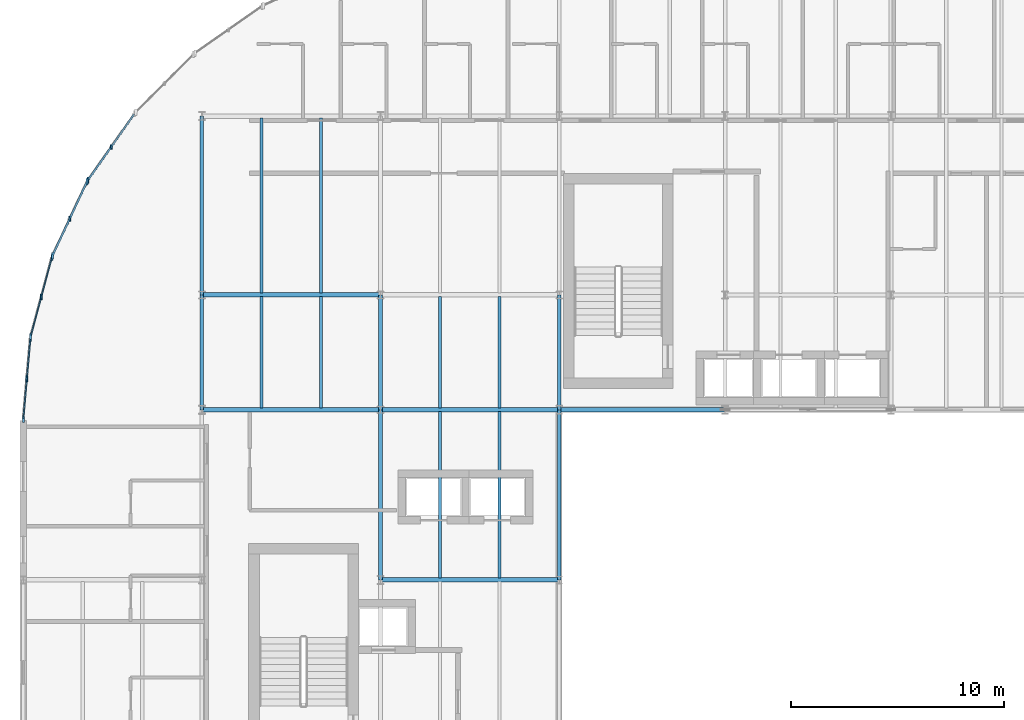
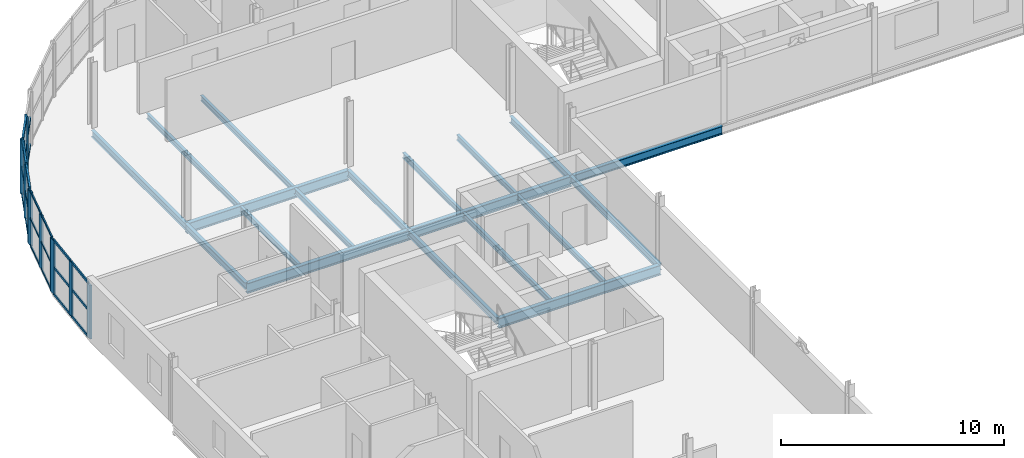
# One storey, part 6 of 25: 34 members, 19 beams, 4 elements without a shape of their own.
"""IFC4 building model written with IfcOpenShell, lengths in metres."""

from ifc_helpers import new_model, si_unit, direction, frame, origin, origin_2d, place, context, subcontext, project, spatial, rectangle, i_section, extrude, material, layer, layer_set, material_profile, profile_set, type_object, element, aggregate, save


model = new_model("IFC4")

# Units and contexts
model_context = context("Model", 3, precision=1e-05, world=origin(), true_north=direction((0.0, 1.0)))
body_context = subcontext(model_context, "Body", "Model", "MODEL_VIEW")
ifc_project = project(units=[si_unit("LENGTHUNIT", "METRE"), si_unit("AREAUNIT", "SQUARE_METRE"), si_unit("VOLUMEUNIT", "CUBIC_METRE"), si_unit("PLANEANGLEUNIT", "RADIAN"), si_unit("MASSUNIT", "GRAM", prefix="KILO")], contexts=[model_context])

# Site, building, storey
site_placement = place(None, origin())
site = spatial("IfcSite", under=ifc_project, at=site_placement, CompositionType="ELEMENT")
building_placement = place(site_placement, origin())
building = spatial("IfcBuilding", under=site, at=building_placement, Name="Sefraquen Railside Congress Hotel", CompositionType="ELEMENT")
storey_placement = place(building_placement, frame((0.0, 0.0, 39.0)))
storey = spatial("IfcBuildingStorey", under=building, at=storey_placement, Name="L09", CompositionType="ELEMENT", Elevation=39.0)

# Beams
ifc_material_1 = material(Name="Steel S355JR", Category="steel")
ifc_material_profile_1 = material_profile(ifc_material_1, i_section(OverallWidth=0.169921875, OverallDepth=0.360107421875, WebThickness=0.008056640625, FlangeThickness=0.0126953125, FilletRadius=0.01806640625, at=origin_2d()), Name="IPE 360")
ifc_profile_set_1 = profile_set([ifc_material_profile_1], Name="Steel S355JR")
beam_type_1 = type_object("IfcBeamType", Name="TB-BM-360", PredefinedType="BEAM", material=ifc_profile_set_1)
beam_1_placement = place(storey_placement, frame((8.39990234375, 96.0, -0.39990234375), z_axis=(0.0, 1.0, 0.0), x_axis=(-1.0, 0.0, 0.0)))
element("IfcBeam", 1, at=beam_1_placement, inside=storey, type_object=beam_type_1, Name="Floor beam BM-L09-2007", PredefinedType="BEAM", context=body_context, shape_type="SweptSolid", body=[
    extrude(i_section(OverallWidth=0.169921875, OverallDepth=0.360107421875, WebThickness=0.008056640625, FlangeThickness=0.0126953125, FilletRadius=0.01806640625, at=origin_2d()), origin(), (0.0, 0.0, 1.0), 5.39990234375),
])
beam_2_placement = place(storey_placement, frame((8.39990234375, 101.39990234375, -0.39990234375), z_axis=(0.0, 1.0, 0.0), x_axis=(-1.0, 0.0, 0.0)))
element("IfcBeam", 2, at=beam_2_placement, inside=storey, type_object=beam_type_1, Name="Floor beam BM-L09-2008", PredefinedType="BEAM", context=body_context, shape_type="SweptSolid", body=[
    extrude(i_section(OverallWidth=0.169921875, OverallDepth=0.360107421875, WebThickness=0.008056640625, FlangeThickness=0.0126953125, FilletRadius=0.01806640625, at=origin_2d()), origin(), (0.0, 0.0, 1.0), 8.400146484375),
])
beam_3_placement = place(storey_placement, frame((16.800048828125, 88.0, -0.39990234375), z_axis=(0.0, 1.0, 0.0), x_axis=(-1.0, 0.0, 0.0)))
element("IfcBeam", 3, at=beam_3_placement, inside=storey, type_object=beam_type_1, Name="Floor beam BM-L09-2012", PredefinedType="BEAM", context=body_context, shape_type="SweptSolid", body=[
    extrude(i_section(OverallWidth=0.169921875, OverallDepth=0.360107421875, WebThickness=0.008056640625, FlangeThickness=0.0126953125, FilletRadius=0.01806640625, at=origin_2d()), origin(), (0.0, 0.0, 1.0), 8.0),
])
beam_4_placement = place(storey_placement, frame((16.800048828125, 96.0, -0.39990234375), z_axis=(0.0, 1.0, 0.0), x_axis=(-1.0, 0.0, 0.0)))
element("IfcBeam", 4, at=beam_4_placement, inside=storey, type_object=beam_type_1, Name="Floor beam BM-L09-2013", PredefinedType="BEAM", context=body_context, shape_type="SweptSolid", body=[
    extrude(i_section(OverallWidth=0.169921875, OverallDepth=0.360107421875, WebThickness=0.008056640625, FlangeThickness=0.0126953125, FilletRadius=0.01806640625, at=origin_2d()), origin(), (0.0, 0.0, 1.0), 5.39990234375),
])
beam_5_placement = place(storey_placement, frame((25.199951171875, 88.0, -0.39990234375), z_axis=(0.0, 1.0, 0.0), x_axis=(-1.0, 0.0, 0.0)))
element("IfcBeam", 5, at=beam_5_placement, inside=storey, type_object=beam_type_1, Name="Floor beam BM-L09-2018", PredefinedType="BEAM", context=body_context, shape_type="SweptSolid", body=[
    extrude(i_section(OverallWidth=0.169921875, OverallDepth=0.360107421875, WebThickness=0.008056640625, FlangeThickness=0.0126953125, FilletRadius=0.01806640625, at=origin_2d()), origin(), (0.0, 0.0, 1.0), 8.0),
])
beam_6_placement = place(storey_placement, frame((25.199951171875, 96.0, -0.39990234375), z_axis=(0.0, 1.0, 0.0), x_axis=(-1.0, 0.0, 0.0)))
element("IfcBeam", 6, at=beam_6_placement, inside=storey, type_object=beam_type_1, Name="Floor beam BM-L09-2019", PredefinedType="BEAM", context=body_context, shape_type="SweptSolid", body=[
    extrude(i_section(OverallWidth=0.169921875, OverallDepth=0.360107421875, WebThickness=0.008056640625, FlangeThickness=0.0126953125, FilletRadius=0.01806640625, at=origin_2d()), origin(), (0.0, 0.0, 1.0), 5.39990234375),
])
ifc_material_profile_2 = material_profile(ifc_material_1, i_section(OverallWidth=0.18994140625, OverallDepth=0.449951171875, WebThickness=0.009521484375, FlangeThickness=0.0146484375, FilletRadius=0.02099609375, at=origin_2d()), Name="IPE 450")
ifc_profile_set_2 = profile_set([ifc_material_profile_2], Name="Steel S355JR")
beam_type_2 = type_object("IfcBeamType", Name="TB-BM-450", PredefinedType="BEAM", material=ifc_profile_set_2)
beam_7_placement = place(storey_placement, frame((25.199951171875, 96.0, -0.445068359375), z_axis=(1.0, 0.0, 0.0), x_axis=(0.0, 1.0, 0.0)))
element("IfcBeam", 7, at=beam_7_placement, inside=storey, type_object=beam_type_2, Name="Primary girder BM-L09-1962", PredefinedType="BEAM", context=body_context, shape_type="SweptSolid", body=[
    extrude(i_section(OverallWidth=0.18994140625, OverallDepth=0.449951171875, WebThickness=0.009521484375, FlangeThickness=0.0146484375, FilletRadius=0.02099609375, at=origin_2d()), origin(), (0.0, 0.0, 1.0), 7.800048828125),
])
ifc_material_profile_3 = material_profile(ifc_material_1, i_section(OverallWidth=0.2099609375, OverallDepth=0.550048828125, WebThickness=0.010986328125, FlangeThickness=0.01708984375, FilletRadius=0.02392578125, at=origin_2d()), Name="IPE 550")
ifc_profile_set_3 = profile_set([ifc_material_profile_3], Name="Steel S355JR")
beam_type_3 = type_object("IfcBeamType", Name="TB-GIR-550", PredefinedType="T_BEAM", material=ifc_profile_set_3)
beam_8_placement = place(storey_placement, frame((16.800048828125, 88.0, -0.4951171875), z_axis=(1.0, 0.0, 0.0), x_axis=(0.0, 1.0, 0.0)))
element("IfcBeam", 8, at=beam_8_placement, inside=storey, type_object=beam_type_3, Name="Primary girder BM-L09-1959", PredefinedType="T_BEAM", context=body_context, shape_type="SweptSolid", body=[
    extrude(i_section(OverallWidth=0.2099609375, OverallDepth=0.550048828125, WebThickness=0.010986328125, FlangeThickness=0.01708984375, FilletRadius=0.02392578125, at=origin_2d()), origin(), (0.0, 0.0, 1.0), 8.39990234375),
])
beam_9_placement = place(storey_placement, frame((8.39990234375, 96.0, -0.4951171875), z_axis=(1.0, 0.0, 0.0), x_axis=(0.0, 1.0, 0.0)))
element("IfcBeam", 9, at=beam_9_placement, inside=storey, type_object=beam_type_3, Name="Primary girder BM-L09-1960", PredefinedType="T_BEAM", context=body_context, shape_type="SweptSolid", body=[
    extrude(i_section(OverallWidth=0.2099609375, OverallDepth=0.550048828125, WebThickness=0.010986328125, FlangeThickness=0.01708984375, FilletRadius=0.02392578125, at=origin_2d()), origin(), (0.0, 0.0, 1.0), 8.400146484375),
])
beam_10_placement = place(storey_placement, frame((16.800048828125, 96.0, -0.4951171875), z_axis=(1.0, 0.0, 0.0), x_axis=(0.0, 1.0, 0.0)))
element("IfcBeam", 10, at=beam_10_placement, inside=storey, type_object=beam_type_3, Name="Primary girder BM-L09-1961", PredefinedType="T_BEAM", context=body_context, shape_type="SweptSolid", body=[
    extrude(i_section(OverallWidth=0.2099609375, OverallDepth=0.550048828125, WebThickness=0.010986328125, FlangeThickness=0.01708984375, FilletRadius=0.02392578125, at=origin_2d()), origin(), (0.0, 0.0, 1.0), 8.39990234375),
])
beam_11_placement = place(storey_placement, frame((8.39990234375, 101.39990234375, -0.4951171875), z_axis=(1.0, 0.0, 0.0), x_axis=(0.0, 1.0, 0.0)))
element("IfcBeam", 11, at=beam_11_placement, inside=storey, type_object=beam_type_3, Name="Primary girder BM-L09-1971", PredefinedType="T_BEAM", context=body_context, shape_type="SweptSolid", body=[
    extrude(i_section(OverallWidth=0.2099609375, OverallDepth=0.550048828125, WebThickness=0.010986328125, FlangeThickness=0.01708984375, FilletRadius=0.02392578125, at=origin_2d()), origin(), (0.0, 0.0, 1.0), 8.400146484375),
])
ifc_material_profile_4 = material_profile(ifc_material_1, i_section(OverallWidth=0.14990234375, OverallDepth=0.300048828125, WebThickness=0.007080078125, FlangeThickness=0.0107421875, FilletRadius=0.014892578125, at=origin_2d()), Name="IPE 300")
ifc_profile_set_4 = profile_set([ifc_material_profile_4], Name="Steel S355JR")
beam_type_4 = type_object("IfcBeamType", Name="TB-JST-300", PredefinedType="JOIST", material=ifc_profile_set_4)
for number, where, z_axis, x_axis, name in (
    (12, (11.199951171875, 96.0849609375, -0.3701171875), (0.0, 1.0, 0.0), (-1.0, 0.0, 0.0), "Composite floor joist BM-L09-J1334"),
    (13, (14.0, 96.0849609375, -0.3701171875), (0.0, 1.0, 0.0), (-1.0, 0.0, 0.0), "Composite floor joist BM-L09-J1335"),
):
    element("IfcBeam", number, at=place(storey_placement, frame(where, z_axis=z_axis, x_axis=x_axis)), inside=storey, type_object=beam_type_4, Name=name, PredefinedType="JOIST", context=body_context, shape_type="SweptSolid", body=[
        extrude(i_section(OverallWidth=0.14990234375, OverallDepth=0.300048828125, WebThickness=0.007080078125, FlangeThickness=0.0107421875, FilletRadius=0.014892578125, at=origin_2d()), origin(), (0.0, 0.0, 1.0), 5.22998046875),
    ])
for number, where, z_axis, x_axis, name in (
    (14, (11.199951171875, 101.485107421875, -0.3701171875), (0.0, 1.0, 0.0), (-1.0, 0.0, 0.0), "Composite floor joist BM-L09-J1336"),
    (15, (14.0, 101.485107421875, -0.3701171875), (0.0, 1.0, 0.0), (-1.0, 0.0, 0.0), "Composite floor joist BM-L09-J1337"),
):
    element("IfcBeam", number, at=place(storey_placement, frame(where, z_axis=z_axis, x_axis=x_axis)), inside=storey, type_object=beam_type_4, Name=name, PredefinedType="JOIST", context=body_context, shape_type="SweptSolid", body=[
        extrude(i_section(OverallWidth=0.14990234375, OverallDepth=0.300048828125, WebThickness=0.007080078125, FlangeThickness=0.0107421875, FilletRadius=0.014892578125, at=origin_2d()), origin(), (0.0, 0.0, 1.0), 8.22998046875),
    ])
for number, where, z_axis, x_axis, name in (
    (16, (19.60009765625, 88.0849609375, -0.3701171875), (0.0, 1.0, 0.0), (-1.0, 0.0, 0.0), "Composite floor joist BM-L09-J1344"),
    (17, (22.39990234375, 88.0849609375, -0.3701171875), (0.0, 1.0, 0.0), (-1.0, 0.0, 0.0), "Composite floor joist BM-L09-J1345"),
):
    element("IfcBeam", number, at=place(storey_placement, frame(where, z_axis=z_axis, x_axis=x_axis)), inside=storey, type_object=beam_type_4, Name=name, PredefinedType="JOIST", context=body_context, shape_type="SweptSolid", body=[
        extrude(i_section(OverallWidth=0.14990234375, OverallDepth=0.300048828125, WebThickness=0.007080078125, FlangeThickness=0.0107421875, FilletRadius=0.014892578125, at=origin_2d()), origin(), (0.0, 0.0, 1.0), 7.830078125),
    ])
for number, where, z_axis, x_axis, name in (
    (18, (19.60009765625, 96.0849609375, -0.3701171875), (0.0, 1.0, 0.0), (-1.0, 0.0, 0.0), "Composite floor joist BM-L09-J1346"),
    (19, (22.39990234375, 96.0849609375, -0.3701171875), (0.0, 1.0, 0.0), (-1.0, 0.0, 0.0), "Composite floor joist BM-L09-J1347"),
):
    element("IfcBeam", number, at=place(storey_placement, frame(where, z_axis=z_axis, x_axis=x_axis)), inside=storey, type_object=beam_type_4, Name=name, PredefinedType="JOIST", context=body_context, shape_type="SweptSolid", body=[
        extrude(i_section(OverallWidth=0.14990234375, OverallDepth=0.300048828125, WebThickness=0.007080078125, FlangeThickness=0.0107421875, FilletRadius=0.014892578125, at=origin_2d()), origin(), (0.0, 0.0, 1.0), 5.22998046875),
    ])

# Curtain wall, member
ifc_material_2 = material(Name="Thermally broken anodised aluminium and low-E double glazing", Category="aluminium")
ifc_layer_1 = layer(ifc_material_2, 0.199951171875)
ifc_layer_set_1 = layer_set([ifc_layer_1], Name="Thermally broken anodised aluminium and low-E double glazing")
curtain_wall_type_1 = type_object("IfcCurtainWallType", Name="TCW-UCW-23", PredefinedType="USERDEFINED", material=ifc_layer_set_1)
curtain_wall_1_placement = place(storey_placement, origin())
curtain_wall_1 = element("IfcCurtainWall", 20, at=curtain_wall_1_placement, inside=storey, type_object=curtain_wall_type_1, Name="Rotunda L09 curved curtain wall facet 6", ObjectType="UNITISED CURTAIN WALL", PredefinedType="USERDEFINED")
ifc_material_3 = material(Name="Thermally broken anodised aluminium 6063-T6", Category="aluminium")
ifc_material_profile_5 = material_profile(ifc_material_3, rectangle(XDim=0.074951171875, YDim=0.219970703125, at=origin_2d()), Name="CWM 75x220")
ifc_profile_set_5 = profile_set([ifc_material_profile_5], Name="Thermally broken anodised aluminium 6063-T6")
member_type_1 = type_object("IfcMemberType", Name="TM-CWM-04", PredefinedType="MULLION", material=ifc_profile_set_5)
member_1_placement = place(storey_placement, frame((4.13916015625, 108.356201171875, 0.0), z_axis=(0.0, 0.0, 1.0), x_axis=(1.0, 0.0, 0.0)))
member_1 = element("IfcMember", 21, at=member_1_placement, type_object=member_type_1, Name="CW-L09-ROT-06 mullion 2", PredefinedType="MULLION", context=body_context, shape_type="SweptSolid", body=[
    extrude(rectangle(XDim=0.074951171875, YDim=0.219970703125, at=origin_2d()), origin(), (0.0, 0.0, 1.0), 2.929931640625),
])

ifc_layer_2 = layer(ifc_material_2, 0.199951171875)
ifc_layer_set_2 = layer_set([ifc_layer_2], Name="Thermally broken anodised aluminium and low-E double glazing")
curtain_wall_type_2 = type_object("IfcCurtainWallType", Name="TCW-UCW-24", PredefinedType="USERDEFINED", material=ifc_layer_set_2)
curtain_wall_2_placement = place(storey_placement, origin())
curtain_wall_2 = element("IfcCurtainWall", 22, at=curtain_wall_2_placement, inside=storey, type_object=curtain_wall_type_2, Name="Rotunda L09 curved curtain wall facet 7", ObjectType="UNITISED CURTAIN WALL", PredefinedType="USERDEFINED")
ifc_material_profile_6 = material_profile(ifc_material_3, rectangle(XDim=0.080078125, YDim=0.239990234375, at=origin_2d()), Name="CWM 80x240")
ifc_profile_set_6 = profile_set([ifc_material_profile_6], Name="Thermally broken anodised aluminium 6063-T6")
member_type_2 = type_object("IfcMemberType", Name="TM-CWM-05", PredefinedType="MULLION", material=ifc_profile_set_6)
member_2_placement = place(storey_placement, frame((2.185546875, 104.972900390625, 0.0), z_axis=(0.0, 0.0, 1.0), x_axis=(1.0, 0.0, 0.0)))
member_2 = element("IfcMember", 23, at=member_2_placement, type_object=member_type_2, Name="CW-L09-ROT-07 mullion 2", PredefinedType="MULLION", context=body_context, shape_type="SweptSolid", body=[
    extrude(rectangle(XDim=0.080078125, YDim=0.239990234375, at=origin_2d()), origin(), (0.0, 0.0, 1.0), 2.929931640625),
])

ifc_layer_3 = layer(ifc_material_2, 0.199951171875)
ifc_layer_set_3 = layer_set([ifc_layer_3], Name="Thermally broken anodised aluminium and low-E double glazing")
curtain_wall_type_3 = type_object("IfcCurtainWallType", Name="TCW-UCW-25", PredefinedType="USERDEFINED", material=ifc_layer_set_3)
curtain_wall_3_placement = place(storey_placement, origin())
curtain_wall_3 = element("IfcCurtainWall", 24, at=curtain_wall_3_placement, inside=storey, type_object=curtain_wall_type_3, Name="Rotunda L09 curved curtain wall facet 8", ObjectType="UNITISED CURTAIN WALL", PredefinedType="USERDEFINED")
ifc_material_profile_7 = material_profile(ifc_material_3, rectangle(XDim=0.0849609375, YDim=0.260009765625, at=origin_2d()), Name="CWM 85x260")
ifc_profile_set_7 = profile_set([ifc_material_profile_7], Name="Thermally broken anodised aluminium 6063-T6")
member_type_3 = type_object("IfcMemberType", Name="TM-CWM-06", PredefinedType="MULLION", material=ifc_profile_set_7)
member_3_placement = place(storey_placement, frame((0.849365234375, 101.30126953125, 0.0), z_axis=(0.0, 0.0, 1.0), x_axis=(1.0, 0.0, 0.0)))
member_3 = element("IfcMember", 25, at=member_3_placement, type_object=member_type_3, Name="CW-L09-ROT-08 mullion 2", PredefinedType="MULLION", context=body_context, shape_type="SweptSolid", body=[
    extrude(rectangle(XDim=0.0849609375, YDim=0.260009765625, at=origin_2d()), origin(), (0.0, 0.0, 1.0), 2.929931640625),
])

ifc_layer_4 = layer(ifc_material_2, 0.199951171875)
ifc_layer_set_4 = layer_set([ifc_layer_4], Name="Thermally broken anodised aluminium and low-E double glazing")
curtain_wall_type_4 = type_object("IfcCurtainWallType", Name="TCW-UCW-26", PredefinedType="USERDEFINED", material=ifc_layer_set_4)
curtain_wall_4_placement = place(storey_placement, origin())
curtain_wall_4 = element("IfcCurtainWall", 26, at=curtain_wall_4_placement, inside=storey, type_object=curtain_wall_type_4, Name="Rotunda L09 curved curtain wall facet 9", ObjectType="UNITISED CURTAIN WALL", PredefinedType="USERDEFINED")
ifc_material_profile_8 = material_profile(ifc_material_3, rectangle(XDim=0.090087890625, YDim=0.280029296875, at=origin_2d()), Name="CWM 90x280")
ifc_profile_set_8 = profile_set([ifc_material_profile_8], Name="Thermally broken anodised aluminium 6063-T6")
member_type_4 = type_object("IfcMemberType", Name="TM-CWM-07", PredefinedType="MULLION", material=ifc_profile_set_8)
member_4_placement = place(storey_placement, frame((0.1708984375, 97.45361328125, 0.0), z_axis=(0.0, 0.0, 1.0), x_axis=(1.0, 0.0, 0.0)))
member_4 = element("IfcMember", 27, at=member_4_placement, type_object=member_type_4, Name="CW-L09-ROT-09 mullion 2", PredefinedType="MULLION", context=body_context, shape_type="SweptSolid", body=[
    extrude(rectangle(XDim=0.090087890625, YDim=0.280029296875, at=origin_2d()), origin(), (0.0, 0.0, 1.0), 2.929931640625),
])

# Member
ifc_material_profile_9 = material_profile(ifc_material_3, rectangle(XDim=0.094970703125, YDim=0.300048828125, at=origin_2d()), Name="CWM 95x300")
ifc_profile_set_9 = profile_set([ifc_material_profile_9], Name="Thermally broken anodised aluminium 6063-T6")
member_type_5 = type_object("IfcMemberType", Name="TM-CWM-08", PredefinedType="MULLION", material=ifc_profile_set_9)
member_5_placement = place(storey_placement, frame((3.037353515625, 106.78271484375, 0.0), z_axis=(0.0, 0.0, 1.0), x_axis=(1.0, 0.0, 0.0)))
member_5 = element("IfcMember", 28, at=member_5_placement, type_object=member_type_5, Name="CW-L09-ROT-06 mullion 3", PredefinedType="MULLION", context=body_context, shape_type="SweptSolid", body=[
    extrude(rectangle(XDim=0.094970703125, YDim=0.300048828125, at=origin_2d()), origin(), (0.0, 0.0, 1.0), 2.929931640625),
])

member_6_placement = place(storey_placement, frame((2.99755859375, 106.713623046875, 0.0), z_axis=(0.0, 0.0, 1.0), x_axis=(1.0, 0.0, 0.0)))
member_6 = element("IfcMember", 29, at=member_6_placement, type_object=member_type_5, Name="CW-L09-ROT-07 mullion 1", PredefinedType="MULLION", context=body_context, shape_type="SweptSolid", body=[
    extrude(rectangle(XDim=0.094970703125, YDim=0.300048828125, at=origin_2d()), origin(), (0.0, 0.0, 1.0), 2.929931640625),
])

member_7_placement = place(storey_placement, frame((1.373779296875, 103.231689453125, 0.0), z_axis=(0.0, 0.0, 1.0), x_axis=(1.0, 0.0, 0.0)))
member_7 = element("IfcMember", 30, at=member_7_placement, type_object=member_type_5, Name="CW-L09-ROT-07 mullion 3", PredefinedType="MULLION", context=body_context, shape_type="SweptSolid", body=[
    extrude(rectangle(XDim=0.094970703125, YDim=0.300048828125, at=origin_2d()), origin(), (0.0, 0.0, 1.0), 2.929931640625),
])

member_8_placement = place(storey_placement, frame((1.346435546875, 103.156982421875, 0.0), z_axis=(0.0, 0.0, 1.0), x_axis=(1.0, 0.0, 0.0)))
member_8 = element("IfcMember", 31, at=member_8_placement, type_object=member_type_5, Name="CW-L09-ROT-08 mullion 1", PredefinedType="MULLION", context=body_context, shape_type="SweptSolid", body=[
    extrude(rectangle(XDim=0.094970703125, YDim=0.300048828125, at=origin_2d()), origin(), (0.0, 0.0, 1.0), 2.929931640625),
])

member_9_placement = place(storey_placement, frame((0.352294921875, 99.44580078125, 0.0), z_axis=(0.0, 0.0, 1.0), x_axis=(1.0, 0.0, 0.0)))
member_9 = element("IfcMember", 32, at=member_9_placement, type_object=member_type_5, Name="CW-L09-ROT-08 mullion 3", PredefinedType="MULLION", context=body_context, shape_type="SweptSolid", body=[
    extrude(rectangle(XDim=0.094970703125, YDim=0.300048828125, at=origin_2d()), origin(), (0.0, 0.0, 1.0), 2.929931640625),
])

member_10_placement = place(storey_placement, frame((0.33837890625, 99.3671875, 0.0), z_axis=(0.0, 0.0, 1.0), x_axis=(1.0, 0.0, 0.0)))
member_10 = element("IfcMember", 33, at=member_10_placement, type_object=member_type_5, Name="CW-L09-ROT-09 mullion 1", PredefinedType="MULLION", context=body_context, shape_type="SweptSolid", body=[
    extrude(rectangle(XDim=0.094970703125, YDim=0.300048828125, at=origin_2d()), origin(), (0.0, 0.0, 1.0), 2.929931640625),
])

member_11_placement = place(storey_placement, frame((0.00341796875, 95.539794921875, 0.0), z_axis=(0.0, 0.0, 1.0), x_axis=(1.0, 0.0, 0.0)))
member_11 = element("IfcMember", 34, at=member_11_placement, type_object=member_type_5, Name="CW-L09-ROT-09 mullion 3", PredefinedType="MULLION", context=body_context, shape_type="SweptSolid", body=[
    extrude(rectangle(XDim=0.094970703125, YDim=0.300048828125, at=origin_2d()), origin(), (0.0, 0.0, 1.0), 2.929931640625),
])

ifc_material_profile_10 = material_profile(ifc_material_3, rectangle(XDim=0.06005859375, YDim=0.1201171875, at=origin_2d()), Name="CWT 60x120")
ifc_profile_set_10 = profile_set([ifc_material_profile_10], Name="Thermally broken anodised aluminium 6063-T6")
member_type_6 = type_object("IfcMemberType", Name="TM-CWT-01", PredefinedType="USERDEFINED", material=ifc_profile_set_10)
member_12_placement = place(storey_placement, frame((1.3349609375, 103.11328125, 0.0), z_axis=(-0.25894046868, -0.965893282759, 0.0), x_axis=(0.965893282759, -0.25894046868, 0.0)))
member_12 = element("IfcMember", 35, at=member_12_placement, type_object=member_type_6, Name="CW-L09-ROT-08 transom 1.1", ObjectType="TRANSOM", PredefinedType="USERDEFINED", context=body_context, shape_type="SweptSolid", body=[
    extrude(rectangle(XDim=0.06005859375, YDim=0.1201171875, at=origin_2d()), origin(), (0.0, 0.0, 1.0), 1.8310546875),
])

member_13_placement = place(storey_placement, frame((0.837646484375, 101.2578125, 0.0), z_axis=(-0.258816065499, -0.965926624666, 0.0), x_axis=(0.965926624666, -0.258816065499, 0.0)))
member_13 = element("IfcMember", 36, at=member_13_placement, type_object=member_type_6, Name="CW-L09-ROT-08 transom 1.2", ObjectType="TRANSOM", PredefinedType="USERDEFINED", context=body_context, shape_type="SweptSolid", body=[
    extrude(rectangle(XDim=0.06005859375, YDim=0.1201171875, at=origin_2d()), origin(), (0.0, 0.0, 1.0), 1.8310546875),
])

member_14_placement = place(storey_placement, frame((1.3349609375, 103.11328125, 1.465087890625), z_axis=(-0.25894046868, -0.965893282759, 0.0), x_axis=(0.965893282759, -0.25894046868, 0.0)))
member_14 = element("IfcMember", 37, at=member_14_placement, type_object=member_type_6, Name="CW-L09-ROT-08 transom 2.1", ObjectType="TRANSOM", PredefinedType="USERDEFINED", context=body_context, shape_type="SweptSolid", body=[
    extrude(rectangle(XDim=0.06005859375, YDim=0.1201171875, at=origin_2d()), origin(), (0.0, 0.0, 1.0), 1.8310546875),
])

member_15_placement = place(storey_placement, frame((0.837646484375, 101.2578125, 1.465087890625), z_axis=(-0.258816065499, -0.965926624666, 0.0), x_axis=(0.965926624666, -0.258816065499, 0.0)))
member_15 = element("IfcMember", 38, at=member_15_placement, type_object=member_type_6, Name="CW-L09-ROT-08 transom 2.2", ObjectType="TRANSOM", PredefinedType="USERDEFINED", context=body_context, shape_type="SweptSolid", body=[
    extrude(rectangle(XDim=0.06005859375, YDim=0.1201171875, at=origin_2d()), origin(), (0.0, 0.0, 1.0), 1.8310546875),
])

member_16_placement = place(storey_placement, frame((1.3349609375, 103.11328125, 2.929931640625), z_axis=(-0.25894046868, -0.965893282759, 0.0), x_axis=(0.965893282759, -0.25894046868, 0.0)))
member_16 = element("IfcMember", 39, at=member_16_placement, type_object=member_type_6, Name="CW-L09-ROT-08 transom 3.1", ObjectType="TRANSOM", PredefinedType="USERDEFINED", context=body_context, shape_type="SweptSolid", body=[
    extrude(rectangle(XDim=0.06005859375, YDim=0.1201171875, at=origin_2d()), origin(), (0.0, 0.0, 1.0), 1.8310546875),
])

member_17_placement = place(storey_placement, frame((0.837646484375, 101.2578125, 2.929931640625), z_axis=(-0.258816065499, -0.965926624666, 0.0), x_axis=(0.965926624666, -0.258816065499, 0.0)))
member_17 = element("IfcMember", 40, at=member_17_placement, type_object=member_type_6, Name="CW-L09-ROT-08 transom 3.2", ObjectType="TRANSOM", PredefinedType="USERDEFINED", context=body_context, shape_type="SweptSolid", body=[
    extrude(rectangle(XDim=0.06005859375, YDim=0.1201171875, at=origin_2d()), origin(), (0.0, 0.0, 1.0), 1.8310546875),
])

aggregate(curtain_wall_3, [member_8, member_3, member_9, member_12, member_13, member_14, member_15, member_16, member_17])

ifc_material_profile_11 = material_profile(ifc_material_3, rectangle(XDim=0.06494140625, YDim=0.135009765625, at=origin_2d()), Name="CWT 65x135")
ifc_profile_set_11 = profile_set([ifc_material_profile_11], Name="Thermally broken anodised aluminium 6063-T6")
member_type_7 = type_object("IfcMemberType", Name="TM-CWT-02", PredefinedType="USERDEFINED", material=ifc_profile_set_11)
member_18_placement = place(storey_placement, frame((0.33447265625, 99.322509765625, 0.0), z_axis=(-0.087193412302, -0.996191401715, 0.0), x_axis=(0.996191401715, -0.087193412302, 0.0)))
member_18 = element("IfcMember", 41, at=member_18_placement, type_object=member_type_7, Name="CW-L09-ROT-09 transom 1.1", ObjectType="TRANSOM", PredefinedType="USERDEFINED", context=body_context, shape_type="SweptSolid", body=[
    extrude(rectangle(XDim=0.06494140625, YDim=0.135009765625, at=origin_2d()), origin(), (0.0, 0.0, 1.0), 1.831298828125),
])

member_19_placement = place(storey_placement, frame((0.1669921875, 97.40869140625, 0.0), z_axis=(-0.08720499447, -0.996190387898, 0.0), x_axis=(0.996190387898, -0.08720499447, 0.0)))
member_19 = element("IfcMember", 42, at=member_19_placement, type_object=member_type_7, Name="CW-L09-ROT-09 transom 1.2", ObjectType="TRANSOM", PredefinedType="USERDEFINED", context=body_context, shape_type="SweptSolid", body=[
    extrude(rectangle(XDim=0.06494140625, YDim=0.135009765625, at=origin_2d()), origin(), (0.0, 0.0, 1.0), 1.8310546875),
])

member_20_placement = place(storey_placement, frame((0.33447265625, 99.322509765625, 1.465087890625), z_axis=(-0.087193412302, -0.996191401715, 0.0), x_axis=(0.996191401715, -0.087193412302, 0.0)))
member_20 = element("IfcMember", 43, at=member_20_placement, type_object=member_type_7, Name="CW-L09-ROT-09 transom 2.1", ObjectType="TRANSOM", PredefinedType="USERDEFINED", context=body_context, shape_type="SweptSolid", body=[
    extrude(rectangle(XDim=0.06494140625, YDim=0.135009765625, at=origin_2d()), origin(), (0.0, 0.0, 1.0), 1.831298828125),
])

member_21_placement = place(storey_placement, frame((0.1669921875, 97.40869140625, 1.465087890625), z_axis=(-0.08720499447, -0.996190387898, 0.0), x_axis=(0.996190387898, -0.08720499447, 0.0)))
member_21 = element("IfcMember", 44, at=member_21_placement, type_object=member_type_7, Name="CW-L09-ROT-09 transom 2.2", ObjectType="TRANSOM", PredefinedType="USERDEFINED", context=body_context, shape_type="SweptSolid", body=[
    extrude(rectangle(XDim=0.06494140625, YDim=0.135009765625, at=origin_2d()), origin(), (0.0, 0.0, 1.0), 1.8310546875),
])

member_22_placement = place(storey_placement, frame((0.33447265625, 99.322509765625, 2.929931640625), z_axis=(-0.087193412302, -0.996191401715, 0.0), x_axis=(0.996191401715, -0.087193412302, 0.0)))
member_22 = element("IfcMember", 45, at=member_22_placement, type_object=member_type_7, Name="CW-L09-ROT-09 transom 3.1", ObjectType="TRANSOM", PredefinedType="USERDEFINED", context=body_context, shape_type="SweptSolid", body=[
    extrude(rectangle(XDim=0.06494140625, YDim=0.135009765625, at=origin_2d()), origin(), (0.0, 0.0, 1.0), 1.831298828125),
])

member_23_placement = place(storey_placement, frame((0.1669921875, 97.40869140625, 2.929931640625), z_axis=(-0.08720499447, -0.996190387898, 0.0), x_axis=(0.996190387898, -0.08720499447, 0.0)))
member_23 = element("IfcMember", 46, at=member_23_placement, type_object=member_type_7, Name="CW-L09-ROT-09 transom 3.2", ObjectType="TRANSOM", PredefinedType="USERDEFINED", context=body_context, shape_type="SweptSolid", body=[
    extrude(rectangle(XDim=0.06494140625, YDim=0.135009765625, at=origin_2d()), origin(), (0.0, 0.0, 1.0), 1.8310546875),
])

aggregate(curtain_wall_4, [member_10, member_4, member_11, member_18, member_19, member_20, member_21, member_22, member_23])

ifc_material_profile_12 = material_profile(ifc_material_3, rectangle(XDim=0.090087890625, YDim=0.2099609375, at=origin_2d()), Name="CWT 90x210")
ifc_profile_set_12 = profile_set([ifc_material_profile_12], Name="Thermally broken anodised aluminium 6063-T6")
member_type_8 = type_object("IfcMemberType", Name="TM-CWT-07", PredefinedType="USERDEFINED", material=ifc_profile_set_12)
member_24_placement = place(storey_placement, frame((5.21533203125, 109.89306640625, 0.0), z_axis=(-0.573632363976, -0.819112880499, 0.0), x_axis=(0.819112880499, -0.573632363976, 0.0)))
member_24 = element("IfcMember", 47, at=member_24_placement, type_object=member_type_8, Name="CW-L09-ROT-06 transom 1.1", ObjectType="TRANSOM", PredefinedType="USERDEFINED", context=body_context, shape_type="SweptSolid", body=[
    extrude(rectangle(XDim=0.090087890625, YDim=0.2099609375, at=origin_2d()), origin(), (0.0, 0.0, 1.0), 1.8310546875),
])

member_25_placement = place(storey_placement, frame((4.11328125, 108.319580078125, 0.0), z_axis=(-0.573480241742, -0.819219392063, 0.0), x_axis=(0.819219392063, -0.573480241742, 0.0)))
member_25 = element("IfcMember", 48, at=member_25_placement, type_object=member_type_8, Name="CW-L09-ROT-06 transom 1.2", ObjectType="TRANSOM", PredefinedType="USERDEFINED", context=body_context, shape_type="SweptSolid", body=[
    extrude(rectangle(XDim=0.090087890625, YDim=0.2099609375, at=origin_2d()), origin(), (0.0, 0.0, 1.0), 1.8310546875),
])

member_26_placement = place(storey_placement, frame((5.21533203125, 109.89306640625, 1.465087890625), z_axis=(-0.573632363976, -0.819112880499, 0.0), x_axis=(0.819112880499, -0.573632363976, 0.0)))
member_26 = element("IfcMember", 49, at=member_26_placement, type_object=member_type_8, Name="CW-L09-ROT-06 transom 2.1", ObjectType="TRANSOM", PredefinedType="USERDEFINED", context=body_context, shape_type="SweptSolid", body=[
    extrude(rectangle(XDim=0.090087890625, YDim=0.2099609375, at=origin_2d()), origin(), (0.0, 0.0, 1.0), 1.8310546875),
])

member_27_placement = place(storey_placement, frame((4.11328125, 108.319580078125, 1.465087890625), z_axis=(-0.573480241742, -0.819219392063, 0.0), x_axis=(0.819219392063, -0.573480241742, 0.0)))
member_27 = element("IfcMember", 50, at=member_27_placement, type_object=member_type_8, Name="CW-L09-ROT-06 transom 2.2", ObjectType="TRANSOM", PredefinedType="USERDEFINED", context=body_context, shape_type="SweptSolid", body=[
    extrude(rectangle(XDim=0.090087890625, YDim=0.2099609375, at=origin_2d()), origin(), (0.0, 0.0, 1.0), 1.8310546875),
])

member_28_placement = place(storey_placement, frame((4.11328125, 108.319580078125, 2.929931640625), z_axis=(-0.573480241742, -0.819219392063, 0.0), x_axis=(0.819219392063, -0.573480241742, 0.0)))
member_28 = element("IfcMember", 51, at=member_28_placement, type_object=member_type_8, Name="CW-L09-ROT-06 transom 3.2", ObjectType="TRANSOM", PredefinedType="USERDEFINED", context=body_context, shape_type="SweptSolid", body=[
    extrude(rectangle(XDim=0.090087890625, YDim=0.2099609375, at=origin_2d()), origin(), (0.0, 0.0, 1.0), 1.8310546875),
])

aggregate(curtain_wall_1, [member_1, member_5, member_24, member_25, member_26, member_27, member_28])

ifc_material_profile_13 = material_profile(ifc_material_3, rectangle(XDim=0.094970703125, YDim=0.22509765625, at=origin_2d()), Name="CWT 95x225")
ifc_profile_set_13 = profile_set([ifc_material_profile_13], Name="Thermally broken anodised aluminium 6063-T6")
member_type_9 = type_object("IfcMemberType", Name="TM-CWT-08", PredefinedType="USERDEFINED", material=ifc_profile_set_13)
member_29_placement = place(storey_placement, frame((2.978515625, 106.6728515625, 0.0), z_axis=(-0.422673771403, -0.906281900386, 0.0), x_axis=(0.906281900386, -0.422673771403, 0.0)))
member_29 = element("IfcMember", 52, at=member_29_placement, type_object=member_type_9, Name="CW-L09-ROT-07 transom 1.1", ObjectType="TRANSOM", PredefinedType="USERDEFINED", context=body_context, shape_type="SweptSolid", body=[
    extrude(rectangle(XDim=0.094970703125, YDim=0.22509765625, at=origin_2d()), origin(), (0.0, 0.0, 1.0), 1.8310546875),
])

member_30_placement = place(storey_placement, frame((2.166748046875, 104.931884765625, 0.0), z_axis=(-0.422724852641, -0.906258075252, 0.0), x_axis=(0.906258075252, -0.422724852641, 0.0)))
member_30 = element("IfcMember", 53, at=member_30_placement, type_object=member_type_9, Name="CW-L09-ROT-07 transom 1.2", ObjectType="TRANSOM", PredefinedType="USERDEFINED", context=body_context, shape_type="SweptSolid", body=[
    extrude(rectangle(XDim=0.094970703125, YDim=0.22509765625, at=origin_2d()), origin(), (0.0, 0.0, 1.0), 1.830810546875),
])

member_31_placement = place(storey_placement, frame((2.978515625, 106.6728515625, 1.465087890625), z_axis=(-0.422673771403, -0.906281900386, 0.0), x_axis=(0.906281900386, -0.422673771403, 0.0)))
member_31 = element("IfcMember", 54, at=member_31_placement, type_object=member_type_9, Name="CW-L09-ROT-07 transom 2.1", ObjectType="TRANSOM", PredefinedType="USERDEFINED", context=body_context, shape_type="SweptSolid", body=[
    extrude(rectangle(XDim=0.094970703125, YDim=0.22509765625, at=origin_2d()), origin(), (0.0, 0.0, 1.0), 1.8310546875),
])

member_32_placement = place(storey_placement, frame((2.166748046875, 104.931884765625, 1.465087890625), z_axis=(-0.422724852641, -0.906258075252, 0.0), x_axis=(0.906258075252, -0.422724852641, 0.0)))
member_32 = element("IfcMember", 55, at=member_32_placement, type_object=member_type_9, Name="CW-L09-ROT-07 transom 2.2", ObjectType="TRANSOM", PredefinedType="USERDEFINED", context=body_context, shape_type="SweptSolid", body=[
    extrude(rectangle(XDim=0.094970703125, YDim=0.22509765625, at=origin_2d()), origin(), (0.0, 0.0, 1.0), 1.830810546875),
])

member_33_placement = place(storey_placement, frame((2.978515625, 106.6728515625, 2.929931640625), z_axis=(-0.422673771403, -0.906281900386, 0.0), x_axis=(0.906281900386, -0.422673771403, 0.0)))
member_33 = element("IfcMember", 56, at=member_33_placement, type_object=member_type_9, Name="CW-L09-ROT-07 transom 3.1", ObjectType="TRANSOM", PredefinedType="USERDEFINED", context=body_context, shape_type="SweptSolid", body=[
    extrude(rectangle(XDim=0.094970703125, YDim=0.22509765625, at=origin_2d()), origin(), (0.0, 0.0, 1.0), 1.8310546875),
])

member_34_placement = place(storey_placement, frame((2.166748046875, 104.931884765625, 2.929931640625), z_axis=(-0.422724852641, -0.906258075252, 0.0), x_axis=(0.906258075252, -0.422724852641, 0.0)))
member_34 = element("IfcMember", 57, at=member_34_placement, type_object=member_type_9, Name="CW-L09-ROT-07 transom 3.2", ObjectType="TRANSOM", PredefinedType="USERDEFINED", context=body_context, shape_type="SweptSolid", body=[
    extrude(rectangle(XDim=0.094970703125, YDim=0.22509765625, at=origin_2d()), origin(), (0.0, 0.0, 1.0), 1.830810546875),
])

aggregate(curtain_wall_2, [member_6, member_2, member_7, member_29, member_30, member_31, member_32, member_33, member_34])

save(model, "model.ifc")
